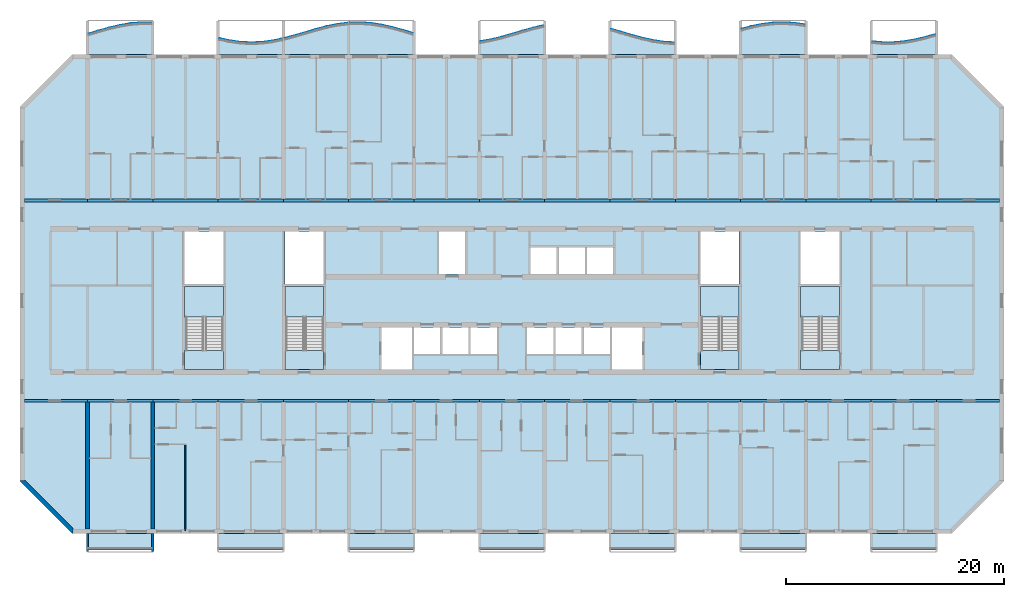
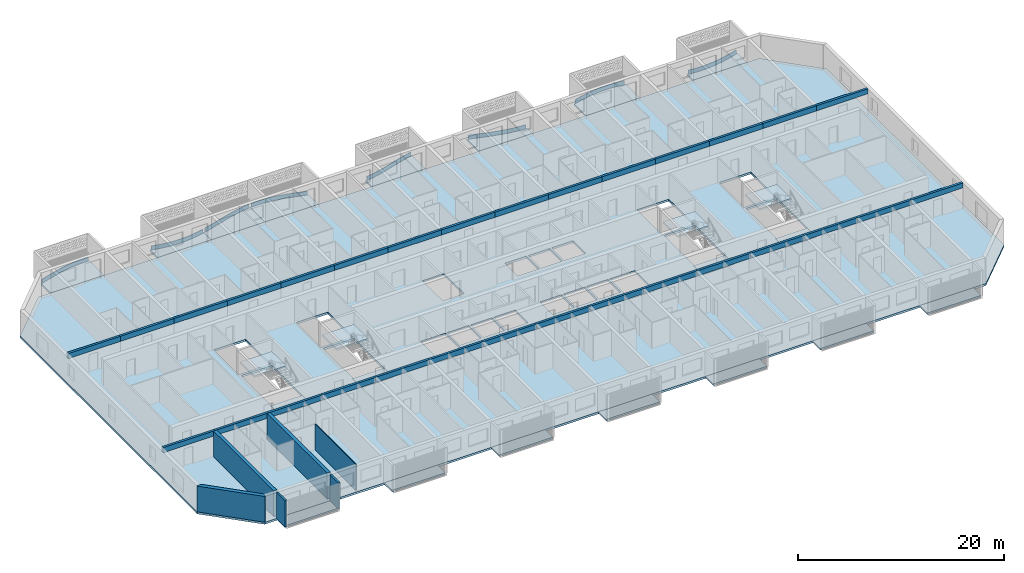
# One storey, part 1 of 25: 30 beams, 24 slabs, 8 plates, 6 walls, 4 elements without a shape of their own.
"""IFC4 building model written with IfcOpenShell, lengths in metres."""

from ifc_helpers import new_model, si_unit, direction, frame, frame_2d, origin, origin_2d, place, context, subcontext, project, spatial, polyline, rectangle, outline, extrude, source, transform, mapped, material, layer, layer_set, material_profile, profile_set, type_object, element, aggregate, save


model = new_model("IFC4")

# Units and contexts
model_context = context("Model", 3, precision=1e-05, world=origin(), true_north=direction((0.0, 1.0)))
body_context = subcontext(model_context, "Body", "Model", "MODEL_VIEW")
ifc_project = project(units=[si_unit("LENGTHUNIT", "METRE"), si_unit("AREAUNIT", "SQUARE_METRE"), si_unit("VOLUMEUNIT", "CUBIC_METRE"), si_unit("PLANEANGLEUNIT", "RADIAN"), si_unit("MASSUNIT", "GRAM", prefix="KILO")], contexts=[model_context])

# Site, building, storey
site_placement = place(None, origin())
site = spatial("IfcSite", under=ifc_project, at=site_placement, CompositionType="ELEMENT")
building_placement = place(site_placement, origin())
building = spatial("IfcBuilding", under=site, at=building_placement, Name="Poui Terraces", CompositionType="ELEMENT")
storey_placement = place(building_placement, frame((0.0, 0.0, 89.39990234375)))
storey = spatial("IfcBuildingStorey", under=building, at=storey_placement, Name="L24", CompositionType="ELEMENT", Elevation=89.39990234375)

# Beams
ifc_material_1 = material(Name="Concrete 65 MPa", Category="concrete")
ifc_material_profile = material_profile(ifc_material_1, rectangle(XDim=0.25, YDim=0.60009765625, at=origin_2d()), Name="RC 250x600")
ifc_profile_set = profile_set([ifc_material_profile], Name="Concrete 65 MPa")
beam_type = type_object("IfcBeamType", Name="COUPLING BEAM 250x600 65MPa", PredefinedType="BEAM", material=ifc_profile_set)
shared_shape_1 = source(origin(), body_context, "Body", "SweptSolid", [
    extrude(rectangle(XDim=0.25, YDim=0.60009765625, at=origin_2d()), origin(), (0.0, 0.0, 1.0), 5.800048828125),
])
for number, where, z_axis, x_axis, name in (
    (1, (6.199951171875, 12.0, 2.760009765625), (1.0, 0.0, 0.0), (0.0, 1.0, 0.0), "COUPLING BEAM LINE B BAY 1"),
    (2, (90.0, 12.0, 2.760009765625), (1.0, 0.0, 0.0), (0.0, 1.0, 0.0), "COUPLING BEAM LINE B BAY 15"),
    (3, (6.199951171875, 30.39990234375, 2.760009765625), (1.0, 0.0, 0.0), (0.0, 1.0, 0.0), "COUPLING BEAM LINE E BAY 1"),
    (4, (90.0, 30.39990234375, 2.760009765625), (1.0, 0.0, 0.0), (0.0, 1.0, 0.0), "COUPLING BEAM LINE E BAY 15"),
):
    element("IfcBeam", number, at=place(storey_placement, frame(where, z_axis=z_axis, x_axis=x_axis)), inside=storey, type_object=beam_type, Name=name, PredefinedType="BEAM", context=body_context, shape_type="MappedRepresentation", body=[
        mapped(shared_shape_1, transform((0.0, 0.0, 0.0))),
    ])
shared_shape_2 = source(origin(), body_context, "Body", "SweptSolid", [
    extrude(rectangle(XDim=0.25, YDim=0.60009765625, at=origin_2d()), origin(), (0.0, 0.0, 1.0), 6.0),
])
for number, where, z_axis, x_axis, name in (
    (5, (12.0, 12.0, 2.760009765625), (1.0, 0.0, 0.0), (0.0, 1.0, 0.0), "COUPLING BEAM LINE B BAY 2"),
    (6, (18.0, 12.0, 2.760009765625), (1.0, 0.0, 0.0), (0.0, 1.0, 0.0), "COUPLING BEAM LINE B BAY 3"),
    (7, (24.0, 12.0, 2.760009765625), (1.0, 0.0, 0.0), (0.0, 1.0, 0.0), "COUPLING BEAM LINE B BAY 4"),
    (8, (30.0, 12.0, 2.760009765625), (1.0, 0.0, 0.0), (0.0, 1.0, 0.0), "COUPLING BEAM LINE B BAY 5"),
    (9, (36.0, 12.0, 2.760009765625), (1.0, 0.0, 0.0), (0.0, 1.0, 0.0), "COUPLING BEAM LINE B BAY 6"),
    (10, (42.0, 12.0, 2.760009765625), (1.0, 0.0, 0.0), (0.0, 1.0, 0.0), "COUPLING BEAM LINE B BAY 7"),
    (11, (48.0, 12.0, 2.760009765625), (1.0, 0.0, 0.0), (0.0, 1.0, 0.0), "COUPLING BEAM LINE B BAY 8"),
    (12, (54.0, 12.0, 2.760009765625), (1.0, 0.0, 0.0), (0.0, 1.0, 0.0), "COUPLING BEAM LINE B BAY 9"),
    (13, (60.0, 12.0, 2.760009765625), (1.0, 0.0, 0.0), (0.0, 1.0, 0.0), "COUPLING BEAM LINE B BAY 10"),
    (14, (66.0, 12.0, 2.760009765625), (1.0, 0.0, 0.0), (0.0, 1.0, 0.0), "COUPLING BEAM LINE B BAY 11"),
    (15, (72.0, 12.0, 2.760009765625), (1.0, 0.0, 0.0), (0.0, 1.0, 0.0), "COUPLING BEAM LINE B BAY 12"),
    (16, (78.0, 12.0, 2.760009765625), (1.0, 0.0, 0.0), (0.0, 1.0, 0.0), "COUPLING BEAM LINE B BAY 13"),
    (17, (84.0, 12.0, 2.760009765625), (1.0, 0.0, 0.0), (0.0, 1.0, 0.0), "COUPLING BEAM LINE B BAY 14"),
    (18, (12.0, 30.39990234375, 2.760009765625), (1.0, 0.0, 0.0), (0.0, 1.0, 0.0), "COUPLING BEAM LINE E BAY 2"),
    (19, (18.0, 30.39990234375, 2.760009765625), (1.0, 0.0, 0.0), (0.0, 1.0, 0.0), "COUPLING BEAM LINE E BAY 3"),
    (20, (24.0, 30.39990234375, 2.760009765625), (1.0, 0.0, 0.0), (0.0, 1.0, 0.0), "COUPLING BEAM LINE E BAY 4"),
    (21, (30.0, 30.39990234375, 2.760009765625), (1.0, 0.0, 0.0), (0.0, 1.0, 0.0), "COUPLING BEAM LINE E BAY 5"),
    (22, (36.0, 30.39990234375, 2.760009765625), (1.0, 0.0, 0.0), (0.0, 1.0, 0.0), "COUPLING BEAM LINE E BAY 6"),
    (23, (42.0, 30.39990234375, 2.760009765625), (1.0, 0.0, 0.0), (0.0, 1.0, 0.0), "COUPLING BEAM LINE E BAY 7"),
    (24, (48.0, 30.39990234375, 2.760009765625), (1.0, 0.0, 0.0), (0.0, 1.0, 0.0), "COUPLING BEAM LINE E BAY 8"),
    (25, (54.0, 30.39990234375, 2.760009765625), (1.0, 0.0, 0.0), (0.0, 1.0, 0.0), "COUPLING BEAM LINE E BAY 9"),
    (26, (60.0, 30.39990234375, 2.760009765625), (1.0, 0.0, 0.0), (0.0, 1.0, 0.0), "COUPLING BEAM LINE E BAY 10"),
    (27, (66.0, 30.39990234375, 2.760009765625), (1.0, 0.0, 0.0), (0.0, 1.0, 0.0), "COUPLING BEAM LINE E BAY 11"),
    (28, (72.0, 30.39990234375, 2.760009765625), (1.0, 0.0, 0.0), (0.0, 1.0, 0.0), "COUPLING BEAM LINE E BAY 12"),
    (29, (78.0, 30.39990234375, 2.760009765625), (1.0, 0.0, 0.0), (0.0, 1.0, 0.0), "COUPLING BEAM LINE E BAY 13"),
    (30, (84.0, 30.39990234375, 2.760009765625), (1.0, 0.0, 0.0), (0.0, 1.0, 0.0), "COUPLING BEAM LINE E BAY 14"),
):
    element("IfcBeam", number, at=place(storey_placement, frame(where, z_axis=z_axis, x_axis=x_axis)), inside=storey, type_object=beam_type, Name=name, PredefinedType="BEAM", context=body_context, shape_type="MappedRepresentation", body=[
        mapped(shared_shape_2, transform((0.0, 0.0, 0.0))),
    ])

# Slabs
ifc_material_2 = material(Name="Precast concrete 40 MPa", Category="concrete")
ifc_layer_1 = layer(ifc_material_2, 0.199951171875)
ifc_layer_set_1 = layer_set([ifc_layer_1], Name="Precast concrete 40 MPa")
slab_type_1 = type_object("IfcSlabType", Name="BALCONY SLAB 200", PredefinedType="FLOOR", material=ifc_layer_set_1)
slab_1_placement = place(storey_placement, frame((0.0, 0.0, -0.199951171875)))
element("IfcSlab", 31, at=slab_1_placement, inside=storey, type_object=slab_type_1, Name="BALCONY SLAB", PredefinedType="FLOOR", context=body_context, shape_type="SweptSolid", body=[
    extrude(outline(polyline([(12.0, 43.800048828125), (18.0, 43.800048828125), (18.0, 46.728759765625), (17.0, 46.74462890625), (16.0, 46.666015625), (15.0, 46.500732421875), (14.0, 46.265869140625), (13.0, 45.985595703125), (12.0, 45.68896484375), (12.0, 43.800048828125)])), origin(), (0.0, 0.0, 1.0), 0.199951171875),
])
slab_2_placement = place(storey_placement, frame((0.0, 0.0, -0.199951171875)))
element("IfcSlab", 32, at=slab_2_placement, inside=storey, type_object=slab_type_1, Name="BALCONY SLAB", PredefinedType="FLOOR", context=body_context, shape_type="SweptSolid", body=[
    extrude(outline(polyline([(24.0, 43.800048828125), (30.0, 43.800048828125), (30.0, 45.279296875), (29.0, 45.07080078125), (28.0, 44.940185546875), (27.0, 44.900390625), (26.0, 44.955810546875), (25.0, 45.1005859375), (24.0, 45.3203125), (24.0, 43.800048828125)])), origin(), (0.0, 0.0, 1.0), 0.199951171875),
])
slab_3_placement = place(storey_placement, frame((0.0, 0.0, -0.199951171875)))
element("IfcSlab", 33, at=slab_3_placement, inside=storey, type_object=slab_type_1, Name="BALCONY SLAB", PredefinedType="FLOOR", context=body_context, shape_type="SweptSolid", body=[
    extrude(outline(polyline([(30.0, 43.800048828125), (36.0, 43.800048828125), (36.0, 46.716796875), (35.0, 46.59326171875), (34.0, 46.390625), (33.0, 46.129638671875), (32.0, 45.83740234375), (31.0, 45.5439453125), (30.0, 45.279296875), (30.0, 43.800048828125)])), origin(), (0.0, 0.0, 1.0), 0.199951171875),
])
slab_4_placement = place(storey_placement, frame((0.0, 0.0, -0.199951171875)))
element("IfcSlab", 34, at=slab_4_placement, inside=storey, type_object=slab_type_1, Name="BALCONY SLAB", PredefinedType="FLOOR", context=body_context, shape_type="SweptSolid", body=[
    extrude(outline(polyline([(36.0, 43.800048828125), (42.0, 43.800048828125), (42.0, 45.73828125), (41.0, 46.0341796875), (40.0, 46.308837890625), (39.0, 46.53369140625), (38.0, 46.685302734375), (37.0, 46.748779296875), (36.0, 46.716796875), (36.0, 43.800048828125)])), origin(), (0.0, 0.0, 1.0), 0.199951171875),
])
slab_5_placement = place(storey_placement, frame((0.0, 0.0, -0.199951171875)))
element("IfcSlab", 35, at=slab_5_placement, inside=storey, type_object=slab_type_1, Name="BALCONY SLAB", PredefinedType="FLOOR", context=body_context, shape_type="SweptSolid", body=[
    extrude(outline(polyline([(48.0, 43.800048828125), (54.0, 43.800048828125), (54.0, 46.500732421875), (53.0, 46.265869140625), (52.0, 45.985595703125), (51.0, 45.68896484375), (50.0, 45.40625), (49.0, 45.16650390625), (48.0, 44.99462890625), (48.0, 43.800048828125)])), origin(), (0.0, 0.0, 1.0), 0.199951171875),
])
slab_6_placement = place(storey_placement, frame((0.0, 0.0, -0.199951171875)))
element("IfcSlab", 36, at=slab_6_placement, inside=storey, type_object=slab_type_1, Name="BALCONY SLAB", PredefinedType="FLOOR", context=body_context, shape_type="SweptSolid", body=[
    extrude(outline(polyline([(60.0, 43.800048828125), (66.0, 43.800048828125), (66.0, 44.900390625), (65.0, 44.955810546875), (64.0, 45.1005859375), (63.0, 45.3203125), (62.0, 45.591552734375), (61.0, 45.886962890625), (60.0, 46.176025390625), (60.0, 43.800048828125)])), origin(), (0.0, 0.0, 1.0), 0.199951171875),
])
slab_7_placement = place(storey_placement, frame((0.0, 0.0, -0.199951171875)))
element("IfcSlab", 37, at=slab_7_placement, inside=storey, type_object=slab_type_1, Name="BALCONY SLAB", PredefinedType="FLOOR", context=body_context, shape_type="SweptSolid", body=[
    extrude(outline(polyline([(72.0, 43.800048828125), (78.0, 43.800048828125), (78.0, 46.53369140625), (77.0, 46.685302734375), (76.0, 46.748779296875), (75.0, 46.716796875), (74.0, 46.59326171875), (73.0, 46.390625), (72.0, 46.129638671875), (72.0, 43.800048828125)])), origin(), (0.0, 0.0, 1.0), 0.199951171875),
])
slab_8_placement = place(storey_placement, frame((0.0, 0.0, -0.199951171875)))
element("IfcSlab", 38, at=slab_8_placement, inside=storey, type_object=slab_type_1, Name="BALCONY SLAB", PredefinedType="FLOOR", context=body_context, shape_type="SweptSolid", body=[
    extrude(outline(polyline([(84.0, 43.800048828125), (90.0, 43.800048828125), (90.0, 45.68896484375), (89.0, 45.40625), (88.0, 45.16650390625), (87.0, 44.99462890625), (86.0, 44.908203125), (85.0, 44.916259765625), (84.0, 45.017822265625), (84.0, 43.800048828125)])), origin(), (0.0, 0.0, 1.0), 0.199951171875),
])

# Stair, slabs
stair_type = type_object("IfcStairType", Name="EXIT STAIR 1650 65 MPA", PredefinedType="HALF_TURN_STAIR", material=ifc_material_1)
stair_1_placement = place(storey_placement, origin())
stair_1 = element("IfcStair", 39, at=stair_1_placement, inside=storey, type_object=stair_type, Name="L24 CORE STAIR EAST", PredefinedType="HALF_TURN_STAIR")
ifc_layer_2 = layer(ifc_material_1, 0.199951171875)
ifc_layer_set_2 = layer_set([ifc_layer_2], Name="Concrete 65 MPa")
slab_type_2 = type_object("IfcSlabType", Name="STAIR LANDING 200 65 MPA", PredefinedType="LANDING", material=ifc_layer_set_2)
slab_9_placement = place(storey_placement, frame((0.0, 0.0, 1.449951171875)))
slab_9 = element("IfcSlab", 40, at=slab_9_placement, type_object=slab_type_2, Name="ST-CE landing 1", PredefinedType="LANDING", context=body_context, shape_type="SweptSolid", body=[
    extrude(outline(polyline([(68.324951171875, 19.679931640625), (71.875, 19.679931640625), (71.875, 22.47509765625), (68.324951171875, 22.47509765625), (68.324951171875, 19.679931640625)])), origin(), (0.0, 0.0, 1.0), 0.2001953125),
])
slab_10_placement = place(storey_placement, frame((0.0, 0.0, -0.199951171875)))
slab_10 = element("IfcSlab", 41, at=slab_10_placement, type_object=slab_type_2, Name="ST-CE landing 2", PredefinedType="LANDING", context=body_context, shape_type="SweptSolid", body=[
    extrude(outline(polyline([(68.324951171875, 14.85009765625), (71.875, 14.85009765625), (71.875, 16.60009765625), (68.324951171875, 16.60009765625), (68.324951171875, 14.85009765625)])), origin(), (0.0, 0.0, 1.0), 0.199951171875),
])
aggregate(stair_1, [slab_9, slab_10])

stair_2_placement = place(storey_placement, origin())
stair_2 = element("IfcStair", 42, at=stair_2_placement, inside=storey, type_object=stair_type, Name="L24 CORE STAIR WEST", PredefinedType="HALF_TURN_STAIR")
slab_11_placement = place(storey_placement, frame((0.0, 0.0, 1.449951171875)))
slab_11 = element("IfcSlab", 43, at=slab_11_placement, type_object=slab_type_2, Name="ST-CW landing 1", PredefinedType="LANDING", context=body_context, shape_type="SweptSolid", body=[
    extrude(outline(polyline([(30.125, 19.679931640625), (33.675048828125, 19.679931640625), (33.675048828125, 22.47509765625), (30.125, 22.47509765625), (30.125, 19.679931640625)])), origin(), (0.0, 0.0, 1.0), 0.2001953125),
])
slab_12_placement = place(storey_placement, frame((0.0, 0.0, -0.199951171875)))
slab_12 = element("IfcSlab", 44, at=slab_12_placement, type_object=slab_type_2, Name="ST-CW landing 2", PredefinedType="LANDING", context=body_context, shape_type="SweptSolid", body=[
    extrude(outline(polyline([(30.125, 14.85009765625), (33.675048828125, 14.85009765625), (33.675048828125, 16.60009765625), (30.125, 16.60009765625), (30.125, 14.85009765625)])), origin(), (0.0, 0.0, 1.0), 0.199951171875),
])
aggregate(stair_2, [slab_11, slab_12])

stair_3_placement = place(storey_placement, origin())
stair_3 = element("IfcStair", 45, at=stair_3_placement, inside=storey, type_object=stair_type, Name="L24 TIP STAIR EAST", PredefinedType="HALF_TURN_STAIR")
slab_13_placement = place(storey_placement, frame((0.0, 0.0, 1.449951171875)))
slab_13 = element("IfcSlab", 46, at=slab_13_placement, type_object=slab_type_2, Name="ST-E landing 1", PredefinedType="LANDING", context=body_context, shape_type="SweptSolid", body=[
    extrude(outline(polyline([(77.52490234375, 19.679931640625), (81.074951171875, 19.679931640625), (81.074951171875, 22.47509765625), (77.52490234375, 22.47509765625), (77.52490234375, 19.679931640625)])), origin(), (0.0, 0.0, 1.0), 0.2001953125),
])
slab_14_placement = place(storey_placement, frame((0.0, 0.0, -0.199951171875)))
slab_14 = element("IfcSlab", 47, at=slab_14_placement, type_object=slab_type_2, Name="ST-E landing 2", PredefinedType="LANDING", context=body_context, shape_type="SweptSolid", body=[
    extrude(outline(polyline([(77.52490234375, 14.85009765625), (81.074951171875, 14.85009765625), (81.074951171875, 16.60009765625), (77.52490234375, 16.60009765625), (77.52490234375, 14.85009765625)])), origin(), (0.0, 0.0, 1.0), 0.199951171875),
])
aggregate(stair_3, [slab_13, slab_14])

stair_4_placement = place(storey_placement, origin())
stair_4 = element("IfcStair", 48, at=stair_4_placement, inside=storey, type_object=stair_type, Name="L24 TIP STAIR WEST", PredefinedType="HALF_TURN_STAIR")
slab_15_placement = place(storey_placement, frame((0.0, 0.0, 1.449951171875)))
slab_15 = element("IfcSlab", 49, at=slab_15_placement, type_object=slab_type_2, Name="ST-W landing 1", PredefinedType="LANDING", context=body_context, shape_type="SweptSolid", body=[
    extrude(outline(polyline([(20.925048828125, 19.679931640625), (24.47509765625, 19.679931640625), (24.47509765625, 22.47509765625), (20.925048828125, 22.47509765625), (20.925048828125, 19.679931640625)])), origin(), (0.0, 0.0, 1.0), 0.2001953125),
])
slab_16_placement = place(storey_placement, frame((0.0, 0.0, -0.199951171875)))
slab_16 = element("IfcSlab", 50, at=slab_16_placement, type_object=slab_type_2, Name="ST-W landing 2", PredefinedType="LANDING", context=body_context, shape_type="SweptSolid", body=[
    extrude(outline(polyline([(20.925048828125, 14.85009765625), (24.47509765625, 14.85009765625), (24.47509765625, 16.60009765625), (20.925048828125, 16.60009765625), (20.925048828125, 14.85009765625)])), origin(), (0.0, 0.0, 1.0), 0.199951171875),
])
aggregate(stair_4, [slab_15, slab_16])

# Plates
ifc_layer_3 = layer(ifc_material_2, 0.080078125)
ifc_layer_set_3 = layer_set([ifc_layer_3], Name="Precast concrete 40 MPa")
plate_type = type_object("IfcPlateType", Name="SUNSHADE UPSTAND 80", PredefinedType="SHEET", material=ifc_layer_set_3)
plate_1_placement = place(storey_placement, origin())
element("IfcPlate", 51, at=plate_1_placement, inside=storey, type_object=plate_type, Name="SUNSHADE UPSTAND", PredefinedType="SHEET", context=body_context, shape_type="SweptSolid", body=[
    extrude(outline(polyline([(12.989013671875, 45.97900390625), (12.113525390625, 45.71923828125), (12.136474609375, 45.642578125), (13.010986328125, 45.902099609375), (14.010009765625, 46.18212890625), (15.0078125, 46.41650390625), (16.0048828125, 46.581298828125), (17.00146484375, 46.65966796875), (17.87451171875, 46.65087890625), (17.87548828125, 46.730712890625), (17.83837890625, 46.731201171875), (16.99853515625, 46.73974609375), (15.9951171875, 46.66064453125), (14.9921875, 46.494873046875), (13.989990234375, 46.259521484375), (12.989013671875, 45.97900390625)])), origin(), (0.0, 0.0, 1.0), 0.4501953125),
])
plate_2_placement = place(storey_placement, origin())
element("IfcPlate", 52, at=plate_2_placement, inside=storey, type_object=plate_type, Name="SUNSHADE UPSTAND", PredefinedType="SHEET", context=body_context, shape_type="SweptSolid", body=[
    extrude(outline(polyline([(25.007080078125, 45.09521484375), (24.13330078125, 45.283447265625), (24.11669921875, 45.205322265625), (24.992919921875, 45.016357421875), (25.99609375, 44.870849609375), (26.999755859375, 44.815185546875), (28.00341796875, 44.855224609375), (29.006591796875, 44.986328125), (29.883056640625, 45.16552734375), (29.866943359375, 45.243896484375), (28.993408203125, 45.065185546875), (27.99658203125, 44.93505859375), (27.000244140625, 44.8955078125), (26.00390625, 44.95068359375), (25.007080078125, 45.09521484375)])), origin(), (0.0, 0.0, 1.0), 0.4501953125),
])
plate_3_placement = place(storey_placement, origin())
element("IfcPlate", 53, at=plate_3_placement, inside=storey, type_object=plate_type, Name="SUNSHADE UPSTAND", PredefinedType="SHEET", context=body_context, shape_type="SweptSolid", body=[
    extrude(outline(polyline([(30.9892578125, 45.537353515625), (30.11474609375, 45.303466796875), (30.13525390625, 45.226318359375), (31.0107421875, 45.46044921875), (32.01123046875, 45.75390625), (33.0107421875, 46.046142578125), (34.009033203125, 46.306640625), (35.006591796875, 46.5087890625), (35.880126953125, 46.62158203125), (35.869873046875, 46.70068359375), (35.8427734375, 46.697509765625), (34.993408203125, 46.587646484375), (33.990966796875, 46.384521484375), (32.9892578125, 46.123291015625), (31.98876953125, 45.830810546875), (30.9892578125, 45.537353515625)])), origin(), (0.0, 0.0, 1.0), 0.4501953125),
])
plate_4_placement = place(storey_placement, origin())
element("IfcPlate", 54, at=plate_4_placement, inside=storey, type_object=plate_type, Name="SUNSHADE UPSTAND", PredefinedType="SHEET", context=body_context, shape_type="SweptSolid", body=[
    extrude(outline(polyline([(37.000732421875, 46.74365234375), (36.157958984375, 46.721923828125), (36.1240234375, 46.720703125), (36.1259765625, 46.64111328125), (36.999267578125, 46.66357421875), (37.99560546875, 46.6005859375), (38.99267578125, 46.44921875), (39.990234375, 46.22509765625), (40.989013671875, 45.95068359375), (41.863525390625, 45.69189453125), (41.886474609375, 45.768798828125), (41.010986328125, 46.02783203125), (40.009765625, 46.302734375), (39.00732421875, 46.52783203125), (38.00439453125, 46.68017578125), (37.000732421875, 46.74365234375)])), origin(), (0.0, 0.0, 1.0), 0.4501953125),
])
plate_5_placement = place(storey_placement, origin())
element("IfcPlate", 55, at=plate_5_placement, inside=storey, type_object=plate_type, Name="SUNSHADE UPSTAND", PredefinedType="SHEET", context=body_context, shape_type="SweptSolid", body=[
    extrude(outline(polyline([(48.99169921875, 45.16064453125), (48.117919921875, 45.006103515625), (48.132080078125, 44.927490234375), (49.00830078125, 45.08251953125), (50.010009765625, 45.322509765625), (51.010986328125, 45.60546875), (52.010986328125, 45.902099609375), (53.010009765625, 46.18212890625), (53.88427734375, 46.390869140625), (53.86572265625, 46.468505859375), (52.989990234375, 46.259521484375), (51.989013671875, 45.97900390625), (50.989013671875, 45.682373046875), (49.989990234375, 45.39990234375), (48.99169921875, 45.16064453125)])), origin(), (0.0, 0.0, 1.0), 0.4501953125),
])
plate_6_placement = place(storey_placement, origin())
element("IfcPlate", 56, at=plate_6_placement, inside=storey, type_object=plate_type, Name="SUNSHADE UPSTAND", PredefinedType="SHEET", context=body_context, shape_type="SweptSolid", body=[
    extrude(outline(polyline([(61.01123046875, 45.88037109375), (60.13623046875, 46.134765625), (60.11376953125, 46.05810546875), (60.98876953125, 45.8037109375), (61.989013671875, 45.508056640625), (62.990478515625, 45.236328125), (63.992919921875, 45.016357421875), (64.995849609375, 44.87109375), (65.87255859375, 44.817138671875), (65.87744140625, 44.89697265625), (65.004150390625, 44.95068359375), (64.007080078125, 45.09521484375), (63.009521484375, 45.31396484375), (62.010986328125, 45.585205078125), (61.01123046875, 45.88037109375)])), origin(), (0.0, 0.0, 1.0), 0.4501953125),
])
plate_7_placement = place(storey_placement, origin())
element("IfcPlate", 57, at=plate_7_placement, inside=storey, type_object=plate_type, Name="SUNSHADE UPSTAND", PredefinedType="SHEET", context=body_context, shape_type="SweptSolid", body=[
    extrude(outline(polyline([(72.990966796875, 46.384521484375), (72.114990234375, 46.158203125), (72.135009765625, 46.080810546875), (73.009033203125, 46.306640625), (74.00634765625, 46.5087890625), (75.003173828125, 46.6318359375), (75.99951171875, 46.66357421875), (76.995849609375, 46.6005859375), (77.869140625, 46.472412109375), (77.880859375, 46.551513671875), (77.004150390625, 46.68017578125), (76.00048828125, 46.74365234375), (74.996826171875, 46.7119140625), (73.99365234375, 46.587890625), (72.990966796875, 46.384521484375)])), origin(), (0.0, 0.0, 1.0), 0.4501953125),
])
plate_8_placement = place(storey_placement, origin())
element("IfcPlate", 58, at=plate_8_placement, inside=storey, type_object=plate_type, Name="SUNSHADE UPSTAND", PredefinedType="SHEET", context=body_context, shape_type="SweptSolid", body=[
    extrude(outline(polyline([(85.002197265625, 44.911376953125), (84.12890625, 44.9951171875), (84.12109375, 44.915283203125), (84.997802734375, 44.831298828125), (86.001708984375, 44.8232421875), (87.005126953125, 44.909912109375), (88.008056640625, 45.082275390625), (89.010009765625, 45.322509765625), (89.8857421875, 45.568603515625), (89.8642578125, 45.645751953125), (88.989990234375, 45.39990234375), (87.991943359375, 45.160888671875), (86.994873046875, 44.989501953125), (85.998291015625, 44.9033203125), (85.002197265625, 44.911376953125)])), origin(), (0.0, 0.0, 1.0), 0.4501953125),
])

# Slabs
ifc_material_3 = material(Name="Concrete 40 MPa", Category="concrete")
ifc_layer_4 = layer(ifc_material_3, 0.239990234375)
ifc_layer_set_4 = layer_set([ifc_layer_4], Name="Concrete 40 MPa")
slab_type_3 = type_object("IfcSlabType", Name="FLOOR SLAB 240", PredefinedType="FLOOR", material=ifc_layer_set_4)
shared_shape_3 = source(origin(), body_context, "Body", "SweptSolid", [
    extrude(outline(polyline([(0.0, 0.0), (4.800048828125, -4.800048828125), (85.599853515625, -4.800048828125), (90.39990234375, 0.0), (90.39990234375, 34.39990234375), (85.599853515625, 39.199951171875), (4.800048828125, 39.199951171875), (0.0, 34.39990234375), (0.0, 0.0)]), holes=[polyline([(33.199951171875, 10.25), (33.199951171875, 14.14990234375), (36.0, 14.14990234375), (36.0, 10.25), (33.199951171875, 10.25)]), polyline([(36.199951171875, 11.699951171875), (36.199951171875, 14.14990234375), (38.599853515625, 14.14990234375), (38.599853515625, 11.699951171875), (36.199951171875, 11.699951171875)]), polyline([(38.800048828125, 11.699951171875), (38.800048828125, 14.14990234375), (41.199951171875, 14.14990234375), (41.199951171875, 11.699951171875), (38.800048828125, 11.699951171875)]), polyline([(41.39990234375, 14.14990234375), (43.800048828125, 14.14990234375), (43.800048828125, 11.699951171875), (41.39990234375, 11.699951171875), (41.39990234375, 14.14990234375)]), polyline([(46.599853515625, 14.14990234375), (49.0, 14.14990234375), (49.0, 11.699951171875), (46.599853515625, 11.699951171875), (46.599853515625, 14.14990234375)]), polyline([(15.224853515625, 17.849853515625), (18.675048828125, 17.849853515625), (18.675048828125, 12.0), (18.675048828125, 10.25), (15.125, 10.25), (15.125, 12.0), (15.224853515625, 12.0), (15.224853515625, 17.849853515625)]), polyline([(24.425048828125, 17.849853515625), (27.875, 17.849853515625), (27.875, 12.0), (27.875, 10.25), (24.324951171875, 10.25), (24.324951171875, 12.0), (24.425048828125, 12.0), (24.425048828125, 17.849853515625)]), polyline([(15.125, 18.125), (15.125, 22.949951171875), (18.675048828125, 22.949951171875), (18.675048828125, 18.125), (15.125, 18.125)]), polyline([(24.324951171875, 22.949951171875), (27.875, 22.949951171875), (27.875, 18.125), (24.324951171875, 18.125), (24.324951171875, 22.949951171875)]), polyline([(38.5, 22.949951171875), (40.89990234375, 22.949951171875), (40.89990234375, 19.0498046875), (38.5, 19.0498046875), (38.5, 22.949951171875)]), polyline([(54.39990234375, 10.25), (54.39990234375, 14.14990234375), (57.199951171875, 14.14990234375), (57.199951171875, 10.25), (54.39990234375, 10.25)]), polyline([(49.199951171875, 11.699951171875), (49.199951171875, 14.14990234375), (51.599853515625, 14.14990234375), (51.599853515625, 11.699951171875), (49.199951171875, 11.699951171875)]), polyline([(51.800048828125, 11.699951171875), (51.800048828125, 14.14990234375), (54.199951171875, 14.14990234375), (54.199951171875, 11.699951171875), (51.800048828125, 11.699951171875)]), polyline([(66.074951171875, 17.849853515625), (66.074951171875, 12.0), (66.074951171875, 10.25), (62.52490234375, 10.25), (62.52490234375, 12.0), (62.625, 12.0), (62.625, 17.849853515625), (66.074951171875, 17.849853515625)]), polyline([(75.27490234375, 17.849853515625), (75.27490234375, 12.0), (75.27490234375, 10.25), (71.724853515625, 10.25), (71.724853515625, 12.0), (71.824951171875, 12.0), (71.824951171875, 17.849853515625), (75.27490234375, 17.849853515625)]), polyline([(46.89990234375, 19.0498046875), (46.89990234375, 21.5), (49.300048828125, 21.5), (49.300048828125, 19.0498046875), (46.89990234375, 19.0498046875)]), polyline([(49.5, 19.0498046875), (49.5, 21.5), (51.89990234375, 21.5), (51.89990234375, 19.0498046875), (49.5, 19.0498046875)]), polyline([(52.099853515625, 19.0498046875), (52.099853515625, 21.5), (54.5, 21.5), (54.5, 19.0498046875), (52.099853515625, 19.0498046875)]), polyline([(62.52490234375, 22.949951171875), (66.074951171875, 22.949951171875), (66.074951171875, 18.125), (62.52490234375, 18.125), (62.52490234375, 22.949951171875)]), polyline([(71.724853515625, 22.949951171875), (75.27490234375, 22.949951171875), (75.27490234375, 18.125), (71.724853515625, 18.125), (71.724853515625, 22.949951171875)])]), origin(), (0.0, 0.0, 1.0), 0.239990234375),
])
slab_17_placement = place(storey_placement, frame((5.800048828125, 4.60009765625, -0.239990234375)))
element("IfcSlab", 59, at=slab_17_placement, inside=storey, type_object=slab_type_3, Name="FLOOR SLAB", PredefinedType="FLOOR", context=body_context, shape_type="MappedRepresentation", body=[
    mapped(shared_shape_3, transform((0.0, 0.0, 0.0))),
])
ifc_layer_5 = layer(ifc_material_2, 0.199951171875)
ifc_layer_set_5 = layer_set([ifc_layer_5], Name="Precast concrete 40 MPa")
slab_type_4 = type_object("IfcSlabType", Name="REAR BALCONY SLAB 200", PredefinedType="FLOOR", material=ifc_layer_set_5)
shared_shape_4 = source(origin(), body_context, "Body", "SweptSolid", [
    extrude(outline(polyline([(0.0, 0.0), (6.0, 0.0), (6.0, 1.5), (0.0, 1.5), (0.0, 0.0)])), origin(), (0.0, 0.0, 1.0), 0.199951171875),
])
for number, where, name in (
    (60, (12.0, -1.699951171875, -0.199951171875), "REAR BALCONY SLAB"),
    (61, (24.0, -1.699951171875, -0.199951171875), "REAR BALCONY SLAB"),
    (62, (36.0, -1.699951171875, -0.199951171875), "REAR BALCONY SLAB"),
    (63, (48.0, -1.699951171875, -0.199951171875), "REAR BALCONY SLAB"),
    (64, (60.0, -1.699951171875, -0.199951171875), "REAR BALCONY SLAB"),
    (65, (72.0, -1.699951171875, -0.199951171875), "REAR BALCONY SLAB"),
    (66, (84.0, -1.699951171875, -0.199951171875), "REAR BALCONY SLAB"),
):
    element("IfcSlab", number, at=place(storey_placement, frame(where)), inside=storey, type_object=slab_type_4, Name=name, PredefinedType="FLOOR", context=body_context, shape_type="MappedRepresentation", body=[
        mapped(shared_shape_4, transform((0.0, 0.0, 0.0))),
    ])

# Walls
ifc_layer_6 = layer(ifc_material_1, 0.35009765625)
ifc_layer_set_6 = layer_set([ifc_layer_6], Name="Concrete 65 MPa")
wall_type_1 = type_object("IfcWallType", Name="CROSS WALL 350 65MPa", PredefinedType="SHEAR", material=ifc_layer_set_6)
for number, where, z_axis, x_axis, name in (
    (67, (12.0, 0.199951171875, 0.0), (0.0, 0.0, 1.0), (0.0, 1.0, 0.0), "CROSS WALL LINE 3 SOUTH"),
    (68, (18.0, 0.199951171875, 0.0), (0.0, 0.0, 1.0), (0.0, 1.0, 0.0), "CROSS WALL LINE 4 SOUTH"),
):
    element("IfcWall", number, at=place(storey_placement, frame(where, z_axis=z_axis, x_axis=x_axis)), inside=storey, type_object=wall_type_1, Name=name, PredefinedType="SHEAR", context=body_context, shape_type="SweptSolid", body=[
        extrude(rectangle(XDim=11.675048828125, YDim=0.35009765625, at=frame_2d((5.83740234375, 0.0))), origin(), (0.0, 0.0, 1.0), 3.06005859375),
    ])
ifc_material_4 = material(Name="Plasterboard partition")
ifc_layer_7 = layer(ifc_material_4, 0.10009765625)
ifc_layer_set_7 = layer_set([ifc_layer_7], Name="Plasterboard partition")
wall_type_2 = type_object("IfcWallType", Name="FLAT PARTITION 100", PredefinedType="PARTITIONING", material=ifc_layer_set_7)
wall_1_placement = place(storey_placement, frame((21.0, 0.06005859375, 0.0), z_axis=(0.0, 0.0, 1.0), x_axis=(0.0, 1.0, 0.0)))
element("IfcWall", 69, at=wall_1_placement, inside=storey, type_object=wall_type_2, Name="FLAT PARTITION 100", PredefinedType="PARTITIONING", context=body_context, shape_type="SweptSolid", body=[
    extrude(rectangle(XDim=7.889892578125, YDim=0.10009765625, at=frame_2d((3.94482421875, 0.0))), origin(), (0.0, 0.0, 1.0), 3.06005859375),
])
ifc_layer_8 = layer(ifc_material_2, 0.39990234375)
ifc_layer_set_8 = layer_set([ifc_layer_8], Name="Precast concrete 40 MPa")
wall_type_3 = type_object("IfcWallType", Name="TERRACOTTA CLAD CHAMFER WALL 400", PredefinedType="STANDARD", material=ifc_layer_set_8)
wall_2_placement = place(storey_placement, origin())
element("IfcWall", 70, at=wall_2_placement, inside=storey, type_object=wall_type_3, Name="CHAMFER WALL CH07", PredefinedType="STANDARD", context=body_context, shape_type="SweptSolid", body=[
    extrude(outline(polyline([(5.800048828125, 4.682861328125), (5.800048828125, 4.60009765625), (10.60009765625, -0.199951171875), (10.682861328125, -0.199951171875), (10.682861328125, 0.28271484375), (6.28271484375, 4.682861328125), (5.800048828125, 4.682861328125)])), origin(), (0.0, 0.0, 1.0), 3.06005859375),
])
ifc_layer_9 = layer(ifc_material_2, 0.199951171875)
ifc_layer_set_9 = layer_set([ifc_layer_9], Name="Precast concrete 40 MPa")
wall_type_4 = type_object("IfcWallType", Name="REAR FIN 200", PredefinedType="STANDARD", material=ifc_layer_set_9)
shared_shape_5 = source(origin(), body_context, "Body", "SweptSolid", [
    extrude(outline(polyline([(0.0, 0.0), (0.2001953125, 0.0), (0.2001953125, 1.650146484375), (0.0, 1.650146484375), (0.0, 0.0)])), origin(), (0.0, 0.0, 1.0), 3.10009765625),
])
for number, where, name in (
    (71, (11.89990234375, -1.85009765625, 0.0), "REAR FIN"),
    (72, (17.89990234375, -1.85009765625, 0.0), "REAR FIN"),
):
    element("IfcWall", number, at=place(storey_placement, frame(where)), inside=storey, type_object=wall_type_4, Name=name, PredefinedType="STANDARD", context=body_context, shape_type="MappedRepresentation", body=[
        mapped(shared_shape_5, transform((0.0, 0.0, 0.0))),
    ])

save(model, "model.ifc")
